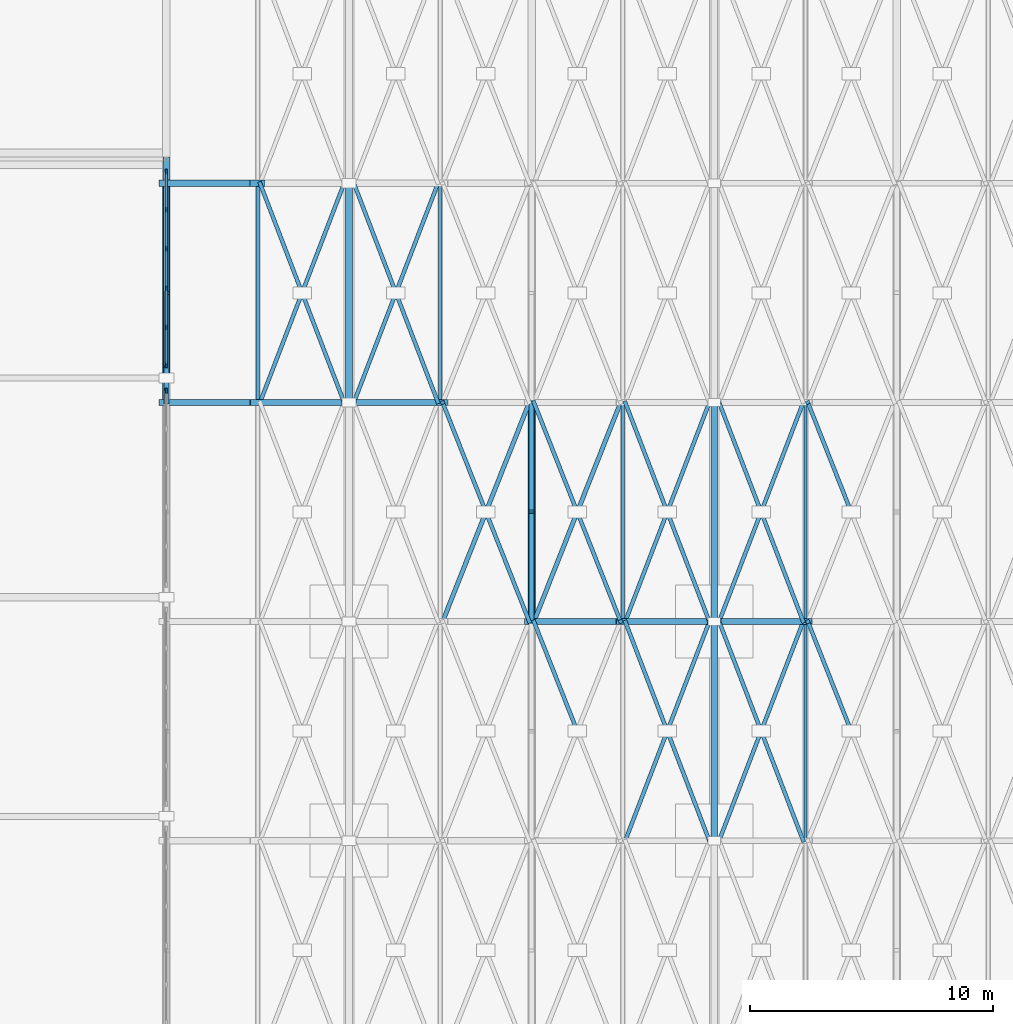
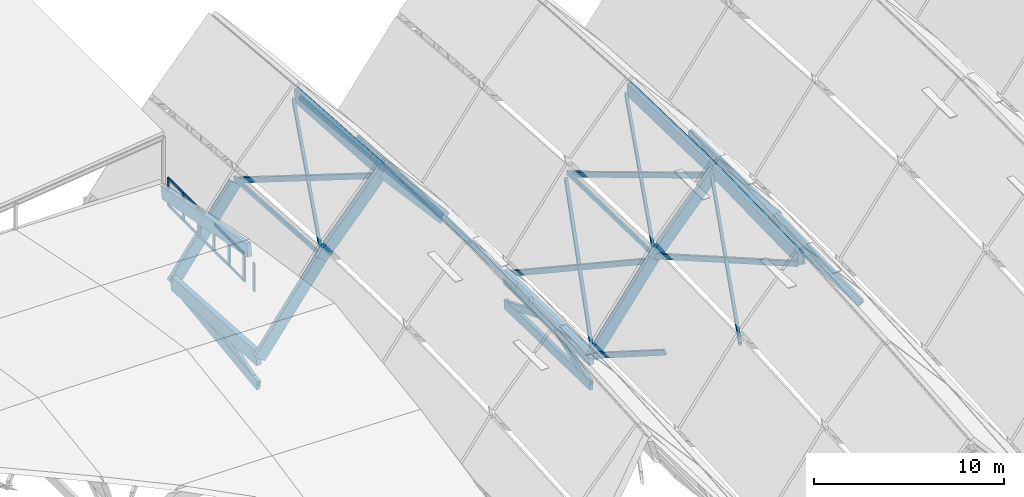
# One storey, part 29 of 93: 54 members, 13 beams, 2 elements without a shape of their own.
"""IFC4 building model written with IfcOpenShell, lengths in metres."""

from ifc_helpers import new_model, si_unit, direction, frame, origin, origin_2d, place, context, subcontext, project, spatial, rectangle, extrude, material, material_profile, profile_set, type_object, element, aggregate, save


model = new_model("IFC4")

# Units and contexts
model_context = context("Model", 3, precision=1e-05, world=origin(), true_north=direction((0.0, 1.0)))
body_context = subcontext(model_context, "Body", "Model", "MODEL_VIEW")
ifc_project = project(units=[si_unit("LENGTHUNIT", "METRE"), si_unit("AREAUNIT", "SQUARE_METRE"), si_unit("VOLUMEUNIT", "CUBIC_METRE"), si_unit("PLANEANGLEUNIT", "RADIAN"), si_unit("MASSUNIT", "GRAM", prefix="KILO")], contexts=[model_context])

# Site, building, storey
site_placement = place(None, origin())
site = spatial("IfcSite", under=ifc_project, at=site_placement, CompositionType="ELEMENT")
building_placement = place(site_placement, origin())
building = spatial("IfcBuilding", under=site, at=building_placement, Name="Vourika Railside Aquatics Centre", CompositionType="ELEMENT")
storey_placement = place(building_placement, frame((0.0, 0.0, 21.89990234375)))
storey = spatial("IfcBuildingStorey", under=building, at=storey_placement, Name="Roof", CompositionType="ELEMENT", Elevation=21.89990234375)

# Beams
ifc_material_1 = material(Name="Glulam GL32h", Category="wood")
ifc_material_profile_1 = material_profile(ifc_material_1, rectangle(XDim=0.239990234375, YDim=0.719970703125, at=origin_2d()), Name="GL32h 240x720")
ifc_profile_set_1 = profile_set([ifc_material_profile_1], Name="Glulam GL32h")
beam_type_1 = type_object("IfcBeamType", Name="BM-GL-ARCH-240x720", PredefinedType="BEAM", material=ifc_profile_set_1)
beam_1_placement = place(storey_placement, frame((51.0, 39.0, -10.099853515625), z_axis=(0.592401494544, 0.0, 0.805642891896), x_axis=(0.0, 1.0, 0.0)))
element("IfcBeam", 1, at=beam_1_placement, inside=storey, type_object=beam_type_1, Name="Pointed Glulam Vault Arch Rib GAR-0047", PredefinedType="BEAM", context=body_context, shape_type="SweptSolid", body=[
    extrude(rectangle(XDim=0.239990234375, YDim=0.719970703125, at=origin_2d()), origin(), (0.0, 0.0, 1.0), 6.330078125),
])
for number, where, z_axis, x_axis, name in (
    (2, (54.75, 39.0, -5.0), (0.657258623263, 0.0, 0.75366511273), (0.0, 1.0, 0.0), "Pointed Glulam Vault Arch Rib GAR-0048"),
    (3, (58.5, 39.0, -0.699951171875), (0.657258623263, 0.0, -0.75366511273), (0.0, 1.0, 0.0), "Pointed Glulam Vault Arch Rib GAR-0049"),
):
    element("IfcBeam", number, at=place(storey_placement, frame(where, z_axis=z_axis, x_axis=x_axis)), inside=storey, type_object=beam_type_1, Name=name, PredefinedType="BEAM", context=body_context, shape_type="SweptSolid", body=[
        extrude(rectangle(XDim=0.239990234375, YDim=0.719970703125, at=origin_2d()), origin(), (0.0, 0.0, 1.0), 5.70556640625),
    ])
ifc_material_profile_2 = material_profile(ifc_material_1, rectangle(XDim=0.260009765625, YDim=0.760009765625, at=origin_2d()), Name="GL32h 260x760")
ifc_profile_set_2 = profile_set([ifc_material_profile_2], Name="Glulam GL32h")
beam_type_2 = type_object("IfcBeamType", Name="BM-GL-ARCH-260x760", PredefinedType="BEAM", material=ifc_profile_set_2)
beam_2_placement = place(storey_placement, frame((36.0, 48.0, -10.314208984375), z_axis=(0.592401494544, 0.0, 0.805642891896), x_axis=(0.0, 1.0, 0.0)))
element("IfcBeam", 4, at=beam_2_placement, inside=storey, type_object=beam_type_2, Name="Pointed Glulam Vault Arch Rib GAR-0017", PredefinedType="BEAM", context=body_context, shape_type="SweptSolid", body=[
    extrude(rectangle(XDim=0.260009765625, YDim=0.760009765625, at=origin_2d()), origin(), (0.0, 0.0, 1.0), 6.330078125),
])
for number, where, z_axis, x_axis, name in (
    (5, (39.75, 48.0, -5.21435546875), (0.657258623263, 0.0, 0.75366511273), (0.0, 1.0, 0.0), "Pointed Glulam Vault Arch Rib GAR-0018"),
    (6, (43.5, 48.0, -0.914306640625), (0.657258623263, 0.0, -0.75366511273), (0.0, 1.0, 0.0), "Pointed Glulam Vault Arch Rib GAR-0019"),
):
    element("IfcBeam", number, at=place(storey_placement, frame(where, z_axis=z_axis, x_axis=x_axis)), inside=storey, type_object=beam_type_2, Name=name, PredefinedType="BEAM", context=body_context, shape_type="SweptSolid", body=[
        extrude(rectangle(XDim=0.260009765625, YDim=0.760009765625, at=origin_2d()), origin(), (0.0, 0.0, 1.0), 5.70556640625),
    ])
beam_3_placement = place(storey_placement, frame((36.0, 57.0, -10.89990234375), z_axis=(0.592383087934, 0.0, 0.805656426233), x_axis=(0.0, 1.0, 0.0)))
element("IfcBeam", 7, at=beam_3_placement, inside=storey, type_object=beam_type_2, Name="Pointed Glulam Vault Arch Rib GAR-0021", PredefinedType="BEAM", context=body_context, shape_type="SweptSolid", body=[
    extrude(rectangle(XDim=0.260009765625, YDim=0.760009765625, at=origin_2d()), origin(), (0.0, 0.0, 1.0), 6.330322265625),
])
ifc_material_profile_3 = material_profile(ifc_material_1, rectangle(XDim=0.280029296875, YDim=0.800048828125, at=origin_2d()), Name="GL32h 280x800")
ifc_profile_set_3 = profile_set([ifc_material_profile_3], Name="Glulam GL32h")
beam_type_3 = type_object("IfcBeamType", Name="BM-GL-RIDGE-280x800", PredefinedType="BEAM", material=ifc_profile_set_3)
for number, where, z_axis, x_axis, name in (
    (8, (58.5, 30.0, -0.914306640625), (0.0, 0.999716489335, 0.023810521854), (-1.0, 0.0, 0.0), "Vault Pointed Ridge Beam GRB-0065"),
    (9, (58.5, 39.0, -0.699951171875), (0.0, 0.999716489335, -0.023810521854), (-1.0, 0.0, 0.0), "Vault Pointed Ridge Beam GRB-0066"),
):
    element("IfcBeam", number, at=place(storey_placement, frame(where, z_axis=z_axis, x_axis=x_axis)), inside=storey, type_object=beam_type_3, Name=name, PredefinedType="BEAM", context=body_context, shape_type="SweptSolid", body=[
        extrude(rectangle(XDim=0.280029296875, YDim=0.800048828125, at=origin_2d()), origin(), (0.0, 0.0, 1.0), 9.00244140625),
    ])
beam_4_placement = place(storey_placement, frame((36.0, 49.0, -3.97998046875), z_axis=(0.0, 0.982224343005, -0.187710788207), x_axis=(-1.0, 0.0, 0.0)))
element("IfcBeam", 10, at=beam_4_placement, inside=storey, type_object=beam_type_3, Name="Diving Roof Truss Arch Rib DAR-0258", PredefinedType="BEAM", context=body_context, shape_type="SweptSolid", body=[
    extrude(rectangle(XDim=0.280029296875, YDim=0.800048828125, at=origin_2d()), origin(), (0.0, 0.0, 1.0), 9.162841796875),
])
ifc_material_profile_4 = material_profile(ifc_material_1, rectangle(XDim=0.280029296875, YDim=0.840087890625, at=origin_2d()), Name="GL32h 280x840")
ifc_profile_set_4 = profile_set([ifc_material_profile_4], Name="Glulam GL32h")
beam_type_4 = type_object("IfcBeamType", Name="BM-GL-RIDGE-280x840", PredefinedType="BEAM", material=ifc_profile_set_4)
beam_5_placement = place(storey_placement, frame((43.5, 48.0, -0.914306640625), z_axis=(0.0, 0.997889191565, -0.064939674766), x_axis=(-1.0, 0.0, 0.0)))
element("IfcBeam", 11, at=beam_5_placement, inside=storey, type_object=beam_type_4, Name="Vault Pointed Ridge Beam GRB-0033", PredefinedType="BEAM", context=body_context, shape_type="SweptSolid", body=[
    extrude(rectangle(XDim=0.280029296875, YDim=0.840087890625, at=origin_2d()), origin(), (0.0, 0.0, 1.0), 9.01904296875),
])
ifc_material_profile_5 = material_profile(ifc_material_1, rectangle(XDim=0.300048828125, YDim=0.89990234375, at=origin_2d()), Name="GL32h 300x900")
ifc_profile_set_5 = profile_set([ifc_material_profile_5], Name="Glulam GL32h")
beam_type_5 = type_object("IfcBeamType", Name="BM-GL-VAL-300x900", PredefinedType="BEAM", material=ifc_profile_set_5)
beam_6_placement = place(storey_placement, frame((36.0, 48.0, -10.314208984375), z_axis=(0.0, 0.997889191565, -0.064939674766), x_axis=(-1.0, 0.0, 0.0)))
element("IfcBeam", 12, at=beam_6_placement, inside=storey, type_object=beam_type_5, Name="Vault Valley Arch Rib VTR-005", PredefinedType="BEAM", context=body_context, shape_type="SweptSolid", body=[
    extrude(rectangle(XDim=0.300048828125, YDim=0.89990234375, at=origin_2d()), origin(), (0.0, 0.0, 1.0), 9.01904296875),
])
beam_7_placement = place(storey_placement, frame((51.0, 39.0, -10.099853515625), z_axis=(0.0, 0.999716489335, -0.023810521854), x_axis=(-1.0, 0.0, 0.0)))
element("IfcBeam", 13, at=beam_7_placement, inside=storey, type_object=beam_type_5, Name="Vault Valley Arch Rib VTR-010", PredefinedType="BEAM", context=body_context, shape_type="SweptSolid", body=[
    extrude(rectangle(XDim=0.300048828125, YDim=0.89990234375, at=origin_2d()), origin(), (0.0, 0.0, 1.0), 9.00244140625),
])

# Curtain wall, member
ifc_material_2 = material(Name="Anodized thermally broken aluminium", Category="aluminium")
curtain_wall_type = type_object("IfcCurtainWallType", Name="CW-DIVEE", PredefinedType="NOTDEFINED", material=ifc_material_2)
curtain_wall_1_placement = place(storey_placement, origin())
curtain_wall_1 = element("IfcCurtainWall", 14, at=curtain_wall_1_placement, inside=storey, type_object=curtain_wall_type, Name="Diving Hall East Clerestory Curtain Wall 3", PredefinedType="NOTDEFINED")
ifc_material_3 = material(Name="Anodized aluminium mullion", Category="aluminium")
ifc_material_profile_6 = material_profile(ifc_material_3, rectangle(XDim=0.075927734375, YDim=0.205078125, at=origin_2d()), Name="ALU-M 76x205")
ifc_profile_set_6 = profile_set([ifc_material_profile_6], Name="Anodized aluminium mullion")
member_type_1 = type_object("IfcMemberType", Name="CWM-DIVEE", PredefinedType="MULLION", material=ifc_profile_set_6)
member_1_placement = place(storey_placement, frame((36.0, 48.48193359375, -6.2998046875), z_axis=(0.0, 0.0, 1.0), x_axis=(-1.0, 0.0, 0.0)))
member_1 = element("IfcMember", 15, at=member_1_placement, type_object=member_type_1, Name="CW06 mullion 6", PredefinedType="MULLION", context=body_context, shape_type="SweptSolid", body=[
    extrude(rectangle(XDim=0.075927734375, YDim=0.205078125, at=origin_2d()), origin(), (0.0, 0.0, 1.0), 1.7998046875),
])
aggregate(curtain_wall_1, [member_1])

# Curtain wall, members
curtain_wall_2_placement = place(storey_placement, origin())
curtain_wall_2 = element("IfcCurtainWall", 16, at=curtain_wall_2_placement, inside=storey, type_object=curtain_wall_type, Name="Diving Hall East Clerestory Curtain Wall 4", PredefinedType="NOTDEFINED")
member_2_placement = place(storey_placement, frame((36.0, 49.51806640625, -6.2998046875), z_axis=(0.0, 0.0, 1.0), x_axis=(-1.0, 0.0, 0.0)))
member_2 = element("IfcMember", 17, at=member_2_placement, type_object=member_type_1, Name="CW06 mullion 1", PredefinedType="MULLION", context=body_context, shape_type="SweptSolid", body=[
    extrude(rectangle(XDim=0.075927734375, YDim=0.205078125, at=origin_2d()), origin(), (0.0, 0.0, 1.0), 1.7998046875),
])
member_3_placement = place(storey_placement, frame((36.0, 51.087890625, -6.2998046875), z_axis=(0.0, 0.0, 1.0), x_axis=(-1.0, 0.0, 0.0)))
member_3 = element("IfcMember", 18, at=member_3_placement, type_object=member_type_1, Name="CW06 mullion 2", PredefinedType="MULLION", context=body_context, shape_type="SweptSolid", body=[
    extrude(rectangle(XDim=0.075927734375, YDim=0.205078125, at=origin_2d()), origin(), (0.0, 0.0, 1.0), 1.7998046875),
])
member_4_placement = place(storey_placement, frame((36.0, 52.696044921875, -6.2998046875), z_axis=(0.0, 0.0, 1.0), x_axis=(-1.0, 0.0, 0.0)))
member_4 = element("IfcMember", 19, at=member_4_placement, type_object=member_type_1, Name="CW06 mullion 3", PredefinedType="MULLION", context=body_context, shape_type="SweptSolid", body=[
    extrude(rectangle(XDim=0.075927734375, YDim=0.205078125, at=origin_2d()), origin(), (0.0, 0.0, 1.0), 1.7998046875),
])
member_5_placement = place(storey_placement, frame((36.0, 54.303955078125, -6.2998046875), z_axis=(0.0, 0.0, 1.0), x_axis=(-1.0, 0.0, 0.0)))
member_5 = element("IfcMember", 20, at=member_5_placement, type_object=member_type_1, Name="CW06 mullion 4", PredefinedType="MULLION", context=body_context, shape_type="SweptSolid", body=[
    extrude(rectangle(XDim=0.075927734375, YDim=0.205078125, at=origin_2d()), origin(), (0.0, 0.0, 1.0), 1.7998046875),
])
member_6_placement = place(storey_placement, frame((36.0, 55.912109375, -6.2998046875), z_axis=(0.0, 0.0, 1.0), x_axis=(-1.0, 0.0, 0.0)))
member_6 = element("IfcMember", 21, at=member_6_placement, type_object=member_type_1, Name="CW06 mullion 5", PredefinedType="MULLION", context=body_context, shape_type="SweptSolid", body=[
    extrude(rectangle(XDim=0.075927734375, YDim=0.205078125, at=origin_2d()), origin(), (0.0, 0.0, 1.0), 1.7998046875),
])
member_7_placement = place(storey_placement, frame((36.0, 57.48193359375, -6.2998046875), z_axis=(0.0, 0.0, 1.0), x_axis=(-1.0, 0.0, 0.0)))
member_7 = element("IfcMember", 22, at=member_7_placement, type_object=member_type_1, Name="CW06 mullion 6", PredefinedType="MULLION", context=body_context, shape_type="SweptSolid", body=[
    extrude(rectangle(XDim=0.075927734375, YDim=0.205078125, at=origin_2d()), origin(), (0.0, 0.0, 1.0), 1.7998046875),
])
ifc_material_4 = material(Name="Anodized aluminium transom", Category="aluminium")
ifc_material_profile_7 = material_profile(ifc_material_4, rectangle(XDim=0.075927734375, YDim=0.162109375, at=origin_2d()), Name="ALU-T 76x162")
ifc_profile_set_7 = profile_set([ifc_material_profile_7], Name="Anodized aluminium transom")
member_type_2 = type_object("IfcMemberType", Name="CWT-DIVEE", PredefinedType="USERDEFINED", material=ifc_profile_set_7)
member_8_placement = place(storey_placement, frame((36.0, 49.555908203125, -6.261962890625), z_axis=(0.0, 1.0, 0.0), x_axis=(-1.0, 0.0, 0.0)))
member_8 = element("IfcMember", 23, at=member_8_placement, type_object=member_type_2, Name="CW06 transom 1.1", ObjectType="TRANSOM", PredefinedType="USERDEFINED", context=body_context, shape_type="SweptSolid", body=[
    extrude(rectangle(XDim=0.075927734375, YDim=0.162109375, at=origin_2d()), origin(), (0.0, 0.0, 1.0), 1.494140625),
])
member_9_placement = place(storey_placement, frame((36.0, 49.555908203125, -4.537841796875), z_axis=(0.0, 1.0, 0.0), x_axis=(-1.0, 0.0, 0.0)))
member_9 = element("IfcMember", 24, at=member_9_placement, type_object=member_type_2, Name="CW06 transom 1.2", ObjectType="TRANSOM", PredefinedType="USERDEFINED", context=body_context, shape_type="SweptSolid", body=[
    extrude(rectangle(XDim=0.075927734375, YDim=0.162109375, at=origin_2d()), origin(), (0.0, 0.0, 1.0), 1.494140625),
])
member_10_placement = place(storey_placement, frame((36.0, 51.1259765625, -6.261962890625), z_axis=(0.0, 1.0, 0.0), x_axis=(-1.0, 0.0, 0.0)))
member_10 = element("IfcMember", 25, at=member_10_placement, type_object=member_type_2, Name="CW06 transom 2.1", ObjectType="TRANSOM", PredefinedType="USERDEFINED", context=body_context, shape_type="SweptSolid", body=[
    extrude(rectangle(XDim=0.075927734375, YDim=0.162109375, at=origin_2d()), origin(), (0.0, 0.0, 1.0), 1.531982421875),
])
member_11_placement = place(storey_placement, frame((36.0, 51.1259765625, -4.537841796875), z_axis=(0.0, 1.0, 0.0), x_axis=(-1.0, 0.0, 0.0)))
member_11 = element("IfcMember", 26, at=member_11_placement, type_object=member_type_2, Name="CW06 transom 2.2", ObjectType="TRANSOM", PredefinedType="USERDEFINED", context=body_context, shape_type="SweptSolid", body=[
    extrude(rectangle(XDim=0.075927734375, YDim=0.162109375, at=origin_2d()), origin(), (0.0, 0.0, 1.0), 1.531982421875),
])
member_12_placement = place(storey_placement, frame((36.0, 52.73388671875, -6.261962890625), z_axis=(0.0, 1.0, 0.0), x_axis=(-1.0, 0.0, 0.0)))
member_12 = element("IfcMember", 27, at=member_12_placement, type_object=member_type_2, Name="CW06 transom 3.1", ObjectType="TRANSOM", PredefinedType="USERDEFINED", context=body_context, shape_type="SweptSolid", body=[
    extrude(rectangle(XDim=0.075927734375, YDim=0.162109375, at=origin_2d()), origin(), (0.0, 0.0, 1.0), 1.5322265625),
])
member_13_placement = place(storey_placement, frame((36.0, 52.73388671875, -4.537841796875), z_axis=(0.0, 1.0, 0.0), x_axis=(-1.0, 0.0, 0.0)))
member_13 = element("IfcMember", 28, at=member_13_placement, type_object=member_type_2, Name="CW06 transom 3.2", ObjectType="TRANSOM", PredefinedType="USERDEFINED", context=body_context, shape_type="SweptSolid", body=[
    extrude(rectangle(XDim=0.075927734375, YDim=0.162109375, at=origin_2d()), origin(), (0.0, 0.0, 1.0), 1.5322265625),
])
member_14_placement = place(storey_placement, frame((36.0, 54.342041015625, -6.261962890625), z_axis=(0.0, 1.0, 0.0), x_axis=(-1.0, 0.0, 0.0)))
member_14 = element("IfcMember", 29, at=member_14_placement, type_object=member_type_2, Name="CW06 transom 4.1", ObjectType="TRANSOM", PredefinedType="USERDEFINED", context=body_context, shape_type="SweptSolid", body=[
    extrude(rectangle(XDim=0.075927734375, YDim=0.162109375, at=origin_2d()), origin(), (0.0, 0.0, 1.0), 1.531982421875),
])
member_15_placement = place(storey_placement, frame((36.0, 54.342041015625, -4.537841796875), z_axis=(0.0, 1.0, 0.0), x_axis=(-1.0, 0.0, 0.0)))
member_15 = element("IfcMember", 30, at=member_15_placement, type_object=member_type_2, Name="CW06 transom 4.2", ObjectType="TRANSOM", PredefinedType="USERDEFINED", context=body_context, shape_type="SweptSolid", body=[
    extrude(rectangle(XDim=0.075927734375, YDim=0.162109375, at=origin_2d()), origin(), (0.0, 0.0, 1.0), 1.531982421875),
])
member_16_placement = place(storey_placement, frame((36.0, 55.949951171875, -6.261962890625), z_axis=(0.0, 1.0, 0.0), x_axis=(-1.0, 0.0, 0.0)))
member_16 = element("IfcMember", 31, at=member_16_placement, type_object=member_type_2, Name="CW06 transom 5.1", ObjectType="TRANSOM", PredefinedType="USERDEFINED", context=body_context, shape_type="SweptSolid", body=[
    extrude(rectangle(XDim=0.075927734375, YDim=0.162109375, at=origin_2d()), origin(), (0.0, 0.0, 1.0), 1.494140625),
])
member_17_placement = place(storey_placement, frame((36.0, 55.949951171875, -4.537841796875), z_axis=(0.0, 1.0, 0.0), x_axis=(-1.0, 0.0, 0.0)))
member_17 = element("IfcMember", 32, at=member_17_placement, type_object=member_type_2, Name="CW06 transom 5.2", ObjectType="TRANSOM", PredefinedType="USERDEFINED", context=body_context, shape_type="SweptSolid", body=[
    extrude(rectangle(XDim=0.075927734375, YDim=0.162109375, at=origin_2d()), origin(), (0.0, 0.0, 1.0), 1.494140625),
])
aggregate(curtain_wall_2, [member_2, member_3, member_4, member_5, member_6, member_7, member_8, member_9, member_10, member_11, member_12, member_13, member_14, member_15, member_16, member_17])

# Members
ifc_material_profile_8 = material_profile(ifc_material_1, rectangle(XDim=0.219970703125, YDim=0.60009765625, at=origin_2d()), Name="GL32h 220x600")
ifc_profile_set_8 = profile_set([ifc_material_profile_8], Name="Glulam GL32h")
member_type_3 = type_object("IfcMemberType", Name="MEM-GL-CHORD", PredefinedType="CHORD", material=ifc_profile_set_8)
member_18_placement = place(storey_placement, frame((36.0, 48.0, -12.064208984375), z_axis=(0.0, 0.991735627786, 0.128298264131), x_axis=(-1.0, 0.0, 0.0)))
element("IfcMember", 33, at=member_18_placement, inside=storey, type_object=member_type_3, Name="Valley Arch Truss Bottom Chord VBC-005", PredefinedType="CHORD", context=body_context, shape_type="SweptSolid", body=[
    extrude(rectangle(XDim=0.219970703125, YDim=0.60009765625, at=origin_2d()), origin(), (0.0, 0.0, 1.0), 9.074951171875),
])
member_19_placement = place(storey_placement, frame((51.0, 39.0, -11.849853515625), z_axis=(0.0, 0.999716489335, -0.023810521854), x_axis=(-1.0, 0.0, 0.0)))
element("IfcMember", 34, at=member_19_placement, inside=storey, type_object=member_type_3, Name="Valley Arch Truss Bottom Chord VBC-010", PredefinedType="CHORD", context=body_context, shape_type="SweptSolid", body=[
    extrude(rectangle(XDim=0.219970703125, YDim=0.60009765625, at=origin_2d()), origin(), (0.0, 0.0, 1.0), 9.00244140625),
])
ifc_material_5 = material(Name="Glulam GL28h", Category="wood")
ifc_material_profile_9 = material_profile(ifc_material_5, rectangle(XDim=0.179931640625, YDim=0.360107421875, at=origin_2d()), Name="GL28h 180x360")
ifc_profile_set_9 = profile_set([ifc_material_profile_9], Name="Glulam GL28h")
member_type_4 = type_object("IfcMemberType", Name="MEM-GL-LATH1", PredefinedType="BRACE", material=ifc_profile_set_9)
member_20_placement = place(storey_placement, frame((47.344970703125, 39.0, -5.129150390625), z_axis=(0.326087343629, 0.824364547766, -0.462698753739), x_axis=(-0.929892910811, 0.367830360933, 0.0)))
element("IfcMember", 35, at=member_20_placement, inside=storey, type_object=member_type_4, Name="Gridshell Continuous Diagonal Lath GLA-0033", PredefinedType="BRACE", context=body_context, shape_type="SweptSolid", body=[
    extrude(rectangle(XDim=0.179931640625, YDim=0.360107421875, at=origin_2d()), origin(), (0.0, 0.0, 1.0), 10.91748046875),
])
member_21_placement = place(storey_placement, frame((51.094970703125, 39.0, -9.970703125), z_axis=(0.331795949467, 0.838796178929, 0.431662389064), x_axis=(-0.929892910811, 0.367830360933, 0.0)))
element("IfcMember", 36, at=member_21_placement, inside=storey, type_object=member_type_4, Name="Gridshell Continuous Diagonal Lath GLA-0083", PredefinedType="BRACE", context=body_context, shape_type="SweptSolid", body=[
    extrude(rectangle(XDim=0.179931640625, YDim=0.360107421875, at=origin_2d()), origin(), (0.0, 0.0, 1.0), 10.729736328125),
])
ifc_material_profile_10 = material_profile(ifc_material_5, rectangle(XDim=0.159912109375, YDim=0.320068359375, at=origin_2d()), Name="GL28h 160x320")
ifc_profile_set_10 = profile_set([ifc_material_profile_10], Name="Glulam GL28h")
member_type_5 = type_object("IfcMemberType", Name="MEM-GL-LATH2", PredefinedType="BRACE", material=ifc_profile_set_10)
member_22_placement = place(storey_placement, frame((50.905029296875, 39.0, -9.970703125), z_axis=(-0.331792690542, 0.83878794021, 0.431680902823), x_axis=(-0.929892910811, -0.367830360933, 0.0)))
element("IfcMember", 37, at=member_22_placement, inside=storey, type_object=member_type_5, Name="Gridshell Split Counter Lath GLB1-0034", PredefinedType="BRACE", context=body_context, shape_type="SweptSolid", body=[
    extrude(rectangle(XDim=0.159912109375, YDim=0.320068359375, at=origin_2d()), origin(), (0.0, 0.0, 1.0), 5.364990234375),
])
member_23_placement = place(storey_placement, frame((49.125, 43.5, -7.65478515625), z_axis=(-0.331799208316, 0.838804417456, 0.43164387476), x_axis=(-0.929892910811, -0.367830360933, 0.0)))
element("IfcMember", 38, at=member_23_placement, inside=storey, type_object=member_type_5, Name="Gridshell Split Counter Lath GLB2-0034", PredefinedType="BRACE", context=body_context, shape_type="SweptSolid", body=[
    extrude(rectangle(XDim=0.159912109375, YDim=0.320068359375, at=origin_2d()), origin(), (0.0, 0.0, 1.0), 5.36474609375),
])
member_24_placement = place(storey_placement, frame((39.844970703125, 48.0, -5.10986328125), z_axis=(0.338120523205, 0.8807571345, 0.331574097021), x_axis=(-0.933569951957, 0.358395235463, 0.0)))
element("IfcMember", 39, at=member_24_placement, inside=storey, type_object=member_type_5, Name="Gridshell Continuous Diagonal Lath GLA-0037", PredefinedType="BRACE", context=body_context, shape_type="SweptSolid", body=[
    extrude(rectangle(XDim=0.159912109375, YDim=0.320068359375, at=origin_2d()), origin(), (0.0, 0.0, 1.0), 10.218505859375),
])
member_25_placement = place(storey_placement, frame((43.300048828125, 48.0, -1.14794921875), z_axis=(-0.324295935921, 0.844745999277, -0.425718619102), x_axis=(-0.933569951957, -0.358395235463, 0.0)))
element("IfcMember", 40, at=member_25_placement, inside=storey, type_object=member_type_5, Name="Gridshell Split Counter Lath GLB1-0038", PredefinedType="BRACE", context=body_context, shape_type="SweptSolid", body=[
    extrude(rectangle(XDim=0.159912109375, YDim=0.320068359375, at=origin_2d()), origin(), (0.0, 0.0, 1.0), 5.3271484375),
])
member_26_placement = place(storey_placement, frame((41.572509765625, 52.5, -3.415771484375), z_axis=(-0.324302263056, 0.84476248059, -0.425681093735), x_axis=(-0.933569951957, -0.358395235463, 0.0)))
element("IfcMember", 41, at=member_26_placement, inside=storey, type_object=member_type_5, Name="Gridshell Split Counter Lath GLB2-0038", PredefinedType="BRACE", context=body_context, shape_type="SweptSolid", body=[
    extrude(rectangle(XDim=0.159912109375, YDim=0.320068359375, at=origin_2d()), origin(), (0.0, 0.0, 1.0), 5.326904296875),
])
member_27_placement = place(storey_placement, frame((43.699951171875, 48.0, -1.14794921875), z_axis=(0.324299099527, 0.844754240035, -0.425699856693), x_axis=(-0.933569951957, 0.358395235463, 0.0)))
element("IfcMember", 42, at=member_27_placement, inside=storey, type_object=member_type_5, Name="Gridshell Continuous Diagonal Lath GLA-0039", PredefinedType="BRACE", context=body_context, shape_type="SweptSolid", body=[
    extrude(rectangle(XDim=0.159912109375, YDim=0.320068359375, at=origin_2d()), origin(), (0.0, 0.0, 1.0), 10.654052734375),
])
for number, where, z_axis, x_axis, name in (
    (43, (47.155029296875, 48.0, -5.10986328125), (-0.338120523205, 0.8807571345, 0.331574097021), (-0.933569951957, -0.358395235463, 0.0), "Gridshell Split Counter Lath GLB1-0040"),
    (44, (45.427490234375, 52.5, -3.415771484375), (-0.338120523205, 0.8807571345, 0.331574097021), (-0.933569951957, -0.358395235463, 0.0), "Gridshell Split Counter Lath GLB2-0040"),
):
    element("IfcMember", number, at=place(storey_placement, frame(where, z_axis=z_axis, x_axis=x_axis)), inside=storey, type_object=member_type_5, Name=name, PredefinedType="BRACE", context=body_context, shape_type="SweptSolid", body=[
        extrude(rectangle(XDim=0.159912109375, YDim=0.320068359375, at=origin_2d()), origin(), (0.0, 0.0, 1.0), 5.109130859375),
    ])
member_28_placement = place(storey_placement, frame((52.875, 34.5, -7.65478515625), z_axis=(-0.331792690542, 0.83878794021, -0.431680902823), x_axis=(-0.929892910811, -0.367830360933, 0.0)))
element("IfcMember", 45, at=member_28_placement, inside=storey, type_object=member_type_5, Name="Gridshell Split Counter Lath GLB2-0074", PredefinedType="BRACE", context=body_context, shape_type="SweptSolid", body=[
    extrude(rectangle(XDim=0.159912109375, YDim=0.320068359375, at=origin_2d()), origin(), (0.0, 0.0, 1.0), 5.364990234375),
])
member_29_placement = place(storey_placement, frame((54.844970703125, 30.0, -5.100830078125), z_axis=(0.32892073085, 0.856792949552, 0.397135989827), x_axis=(-0.933569951957, 0.358395235463, 0.0)))
element("IfcMember", 46, at=member_29_placement, inside=storey, type_object=member_type_5, Name="Gridshell Continuous Diagonal Lath GLA-0075", PredefinedType="BRACE", context=body_context, shape_type="SweptSolid", body=[
    extrude(rectangle(XDim=0.159912109375, YDim=0.320068359375, at=origin_2d()), origin(), (0.0, 0.0, 1.0), 10.50439453125),
])
for number, where, z_axis, x_axis, name in (
    (47, (58.300048828125, 30.0, -1.13916015625), (-0.333992041249, 0.870003010782, -0.362690057229), (-0.933569951957, -0.358395235463, 0.0), "Gridshell Split Counter Lath GLB1-0076"),
    (48, (56.572509765625, 34.5, -3.01513671875), (-0.333992041249, 0.870003010782, -0.362690057229), (-0.933569951957, -0.358395235463, 0.0), "Gridshell Split Counter Lath GLB2-0076"),
):
    element("IfcMember", number, at=place(storey_placement, frame(where, z_axis=z_axis, x_axis=x_axis)), inside=storey, type_object=member_type_5, Name=name, PredefinedType="BRACE", context=body_context, shape_type="SweptSolid", body=[
        extrude(rectangle(XDim=0.159912109375, YDim=0.320068359375, at=origin_2d()), origin(), (0.0, 0.0, 1.0), 5.17236328125),
    ])
member_30_placement = place(storey_placement, frame((58.699951171875, 30.0, -1.13916015625), z_axis=(0.333992041249, 0.870003010782, -0.362690057229), x_axis=(-0.933569951957, 0.358395235463, 0.0)))
element("IfcMember", 49, at=member_30_placement, inside=storey, type_object=member_type_5, Name="Gridshell Continuous Diagonal Lath GLA-0077", PredefinedType="BRACE", context=body_context, shape_type="SweptSolid", body=[
    extrude(rectangle(XDim=0.159912109375, YDim=0.320068359375, at=origin_2d()), origin(), (0.0, 0.0, 1.0), 10.3447265625),
])
for number, where, z_axis, x_axis, name in (
    (50, (62.155029296875, 30.0, -5.100830078125), (-0.328923766818, 0.856800857828, 0.397116413218), (-0.933569951957, -0.358395235463, 0.0), "Gridshell Split Counter Lath GLB1-0078"),
    (51, (60.427490234375, 34.5, -3.01513671875), (-0.328917694788, 0.856785041031, 0.397155565895), (-0.933569951957, -0.358395235463, 0.0), "Gridshell Split Counter Lath GLB2-0078"),
):
    element("IfcMember", number, at=place(storey_placement, frame(where, z_axis=z_axis, x_axis=x_axis)), inside=storey, type_object=member_type_5, Name=name, PredefinedType="BRACE", context=body_context, shape_type="SweptSolid", body=[
        extrude(rectangle(XDim=0.159912109375, YDim=0.320068359375, at=origin_2d()), origin(), (0.0, 0.0, 1.0), 5.252197265625),
    ])
for number, where, z_axis, x_axis, name in (
    (52, (64.125, 34.5, -7.65478515625), (-0.326090717631, 0.824373077407, 0.462681178699), (-0.929892910811, -0.367830360933, 0.0), "Gridshell Split Counter Lath GLB2-0080"),
    (53, (54.655029296875, 39.0, -5.129150390625), (-0.326090717631, 0.824373077407, -0.462681178699), (-0.929892910811, -0.367830360933, 0.0), "Gridshell Split Counter Lath GLB1-0084"),
    (54, (52.875, 43.5, -7.65478515625), (-0.326083969568, 0.824356017978, -0.462716328234), (-0.929892910811, -0.367830360933, 0.0), "Gridshell Split Counter Lath GLB2-0084"),
):
    element("IfcMember", number, at=place(storey_placement, frame(where, z_axis=z_axis, x_axis=x_axis)), inside=storey, type_object=member_type_5, Name=name, PredefinedType="BRACE", context=body_context, shape_type="SweptSolid", body=[
        extrude(rectangle(XDim=0.159912109375, YDim=0.320068359375, at=origin_2d()), origin(), (0.0, 0.0, 1.0), 5.458740234375),
    ])
member_31_placement = place(storey_placement, frame((54.844970703125, 39.0, -4.89111328125), z_axis=(0.333992041249, 0.870003010782, 0.362690057229), x_axis=(-0.933569951957, 0.358395235463, 0.0)))
element("IfcMember", 55, at=member_31_placement, inside=storey, type_object=member_type_5, Name="Gridshell Continuous Diagonal Lath GLA-0085", PredefinedType="BRACE", context=body_context, shape_type="SweptSolid", body=[
    extrude(rectangle(XDim=0.159912109375, YDim=0.320068359375, at=origin_2d()), origin(), (0.0, 0.0, 1.0), 10.3447265625),
])
for number, where, z_axis, x_axis, name in (
    (56, (58.300048828125, 39.0, -0.92919921875), (-0.328917694788, 0.856785041031, -0.397155565895), (-0.933569951957, -0.358395235463, 0.0), "Gridshell Split Counter Lath GLB1-0086"),
    (57, (56.572509765625, 43.5, -3.01513671875), (-0.328923766818, 0.856800857828, -0.397116413218), (-0.933569951957, -0.358395235463, 0.0), "Gridshell Split Counter Lath GLB2-0086"),
):
    element("IfcMember", number, at=place(storey_placement, frame(where, z_axis=z_axis, x_axis=x_axis)), inside=storey, type_object=member_type_5, Name=name, PredefinedType="BRACE", context=body_context, shape_type="SweptSolid", body=[
        extrude(rectangle(XDim=0.159912109375, YDim=0.320068359375, at=origin_2d()), origin(), (0.0, 0.0, 1.0), 5.252197265625),
    ])
member_32_placement = place(storey_placement, frame((58.699951171875, 39.0, -0.92919921875), z_axis=(0.32892073085, 0.856792949552, -0.397135989827), x_axis=(-0.933569951957, 0.358395235463, 0.0)))
element("IfcMember", 58, at=member_32_placement, inside=storey, type_object=member_type_5, Name="Gridshell Continuous Diagonal Lath GLA-0087", PredefinedType="BRACE", context=body_context, shape_type="SweptSolid", body=[
    extrude(rectangle(XDim=0.159912109375, YDim=0.320068359375, at=origin_2d()), origin(), (0.0, 0.0, 1.0), 10.50439453125),
])
for number, where, z_axis, x_axis, name in (
    (59, (62.155029296875, 39.0, -4.89111328125), (-0.333992041249, 0.870003010782, 0.362690057229), (-0.933569951957, -0.358395235463, 0.0), "Gridshell Split Counter Lath GLB1-0088"),
    (60, (60.427490234375, 43.5, -3.01513671875), (-0.333992041249, 0.870003010782, 0.362690057229), (-0.933569951957, -0.358395235463, 0.0), "Gridshell Split Counter Lath GLB2-0088"),
):
    element("IfcMember", number, at=place(storey_placement, frame(where, z_axis=z_axis, x_axis=x_axis)), inside=storey, type_object=member_type_5, Name=name, PredefinedType="BRACE", context=body_context, shape_type="SweptSolid", body=[
        extrude(rectangle(XDim=0.159912109375, YDim=0.320068359375, at=origin_2d()), origin(), (0.0, 0.0, 1.0), 5.17236328125),
    ])
member_33_placement = place(storey_placement, frame((64.125, 43.5, -7.65478515625), z_axis=(-0.331799208316, 0.838804417456, 0.43164387476), x_axis=(-0.929892910811, -0.367830360933, 0.0)))
element("IfcMember", 61, at=member_33_placement, inside=storey, type_object=member_type_5, Name="Gridshell Split Counter Lath GLB2-0090", PredefinedType="BRACE", context=body_context, shape_type="SweptSolid", body=[
    extrude(rectangle(XDim=0.159912109375, YDim=0.320068359375, at=origin_2d()), origin(), (0.0, 0.0, 1.0), 5.36474609375),
])
ifc_material_profile_11 = material_profile(ifc_material_5, rectangle(XDim=0.139892578125, YDim=0.280029296875, at=origin_2d()), Name="GL28h 140x280")
ifc_profile_set_11 = profile_set([ifc_material_profile_11], Name="Glulam GL28h")
member_type_6 = type_object("IfcMemberType", Name="MEM-GL-PURLIN", PredefinedType="PURLIN", material=ifc_profile_set_11)
for number, where, z_axis, x_axis, name in (
    (62, (39.75, 48.0, -4.9443359375), (0.0, 0.997890945376, -0.064912719374), (-1.0, 0.0, 0.0), "Vault Timber Purlin GTP-0035"),
    (63, (47.25, 48.0, -4.9443359375), (0.0, 0.997890945376, -0.064912719374), (-1.0, 0.0, 0.0), "Vault Timber Purlin GTP-0036"),
):
    element("IfcMember", number, at=place(storey_placement, frame(where, z_axis=z_axis, x_axis=x_axis)), inside=storey, type_object=member_type_6, Name=name, PredefinedType="PURLIN", context=body_context, shape_type="SweptSolid", body=[
        extrude(rectangle(XDim=0.139892578125, YDim=0.280029296875, at=origin_2d()), origin(), (0.0, 0.0, 1.0), 9.01904296875),
    ])
for number, where, z_axis, x_axis, name in (
    (64, (62.25, 30.0, -4.9443359375), (0.0, 0.999716489335, 0.023810521854), (-1.0, 0.0, 0.0), "Vault Timber Purlin GTP-0072"),
    (65, (54.75, 39.0, -4.72998046875), (0.0, 0.999716489335, -0.023810521854), (-1.0, 0.0, 0.0), "Vault Timber Purlin GTP-0081"),
    (66, (62.25, 39.0, -4.72998046875), (0.0, 0.999716489335, -0.023810521854), (-1.0, 0.0, 0.0), "Vault Timber Purlin GTP-0082"),
):
    element("IfcMember", number, at=place(storey_placement, frame(where, z_axis=z_axis, x_axis=x_axis)), inside=storey, type_object=member_type_6, Name=name, PredefinedType="PURLIN", context=body_context, shape_type="SweptSolid", body=[
        extrude(rectangle(XDim=0.139892578125, YDim=0.280029296875, at=origin_2d()), origin(), (0.0, 0.0, 1.0), 9.00244140625),
    ])
ifc_material_profile_12 = material_profile(ifc_material_5, rectangle(XDim=0.199951171875, YDim=0.39990234375, at=origin_2d()), Name="GL28h 200x400")
ifc_profile_set_12 = profile_set([ifc_material_profile_12], Name="Glulam GL28h")
member_type_7 = type_object("IfcMemberType", Name="MEM-GL-STRUT1", PredefinedType="STRUT", material=ifc_profile_set_12)
member_34_placement = place(storey_placement, frame((36.0, 48.0, -12.064208984375), z_axis=(0.0, 0.95137335537, 0.308040157598), x_axis=(-1.0, 0.0, 0.0)))
element("IfcMember", 67, at=member_34_placement, inside=storey, type_object=member_type_7, Name="Valley Truss Web Strut VWA-005", PredefinedType="STRUT", context=body_context, shape_type="SweptSolid", body=[
    extrude(rectangle(XDim=0.199951171875, YDim=0.39990234375, at=origin_2d()), origin(), (0.0, 0.0, 1.0), 4.72998046875),
])
member_35_placement = place(storey_placement, frame((51.0, 39.0, -11.849853515625), z_axis=(0.0, 0.939359665163, 0.342933549635), x_axis=(-1.0, 0.0, 0.0)))
element("IfcMember", 68, at=member_35_placement, inside=storey, type_object=member_type_7, Name="Valley Truss Web Strut VWA-010", PredefinedType="STRUT", context=body_context, shape_type="SweptSolid", body=[
    extrude(rectangle(XDim=0.199951171875, YDim=0.39990234375, at=origin_2d()), origin(), (0.0, 0.0, 1.0), 4.79052734375),
])
member_36_placement = place(storey_placement, frame((51.0, 43.5, -10.20703125), z_axis=(0.0, 0.924371407103, -0.381493776792), x_axis=(-1.0, 0.0, 0.0)))
element("IfcMember", 69, at=member_36_placement, inside=storey, type_object=member_type_7, Name="Valley Truss Web Strut VWB-010", PredefinedType="STRUT", context=body_context, shape_type="SweptSolid", body=[
    extrude(rectangle(XDim=0.199951171875, YDim=0.39990234375, at=origin_2d()), origin(), (0.0, 0.0, 1.0), 4.8681640625),
])

save(model, "model.ifc")
